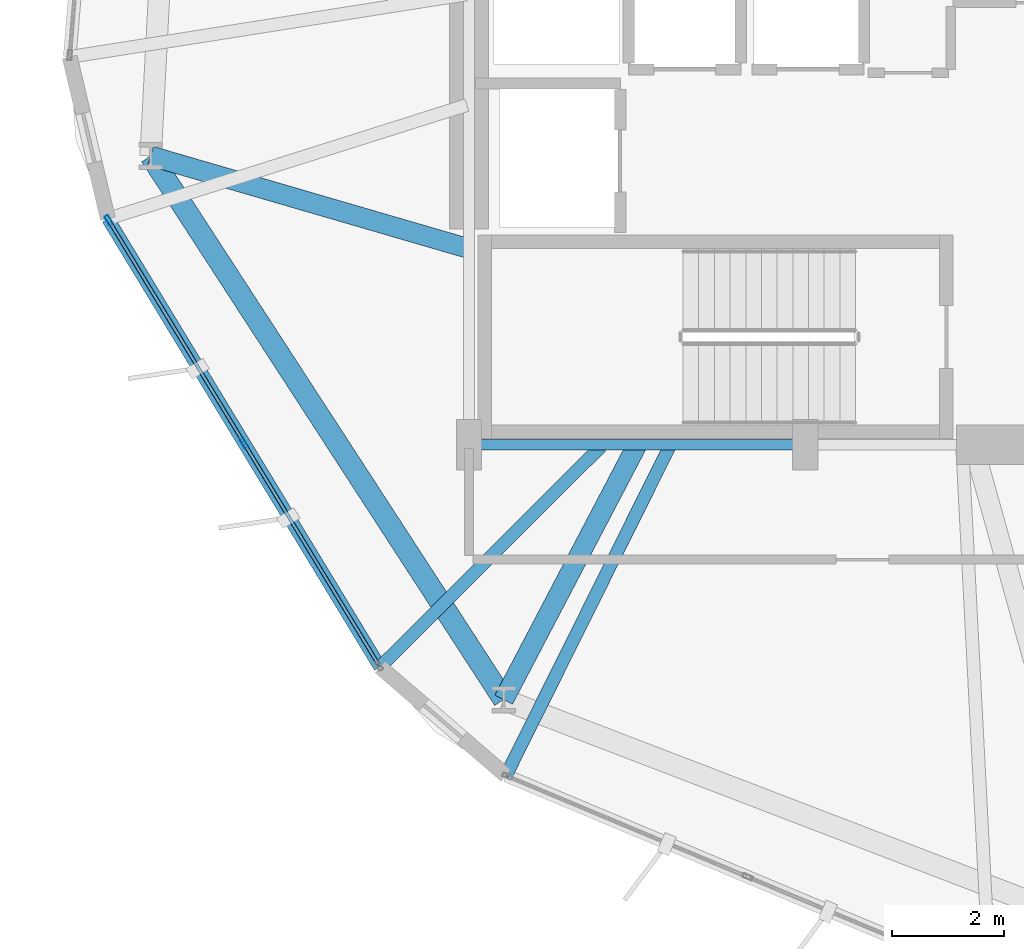
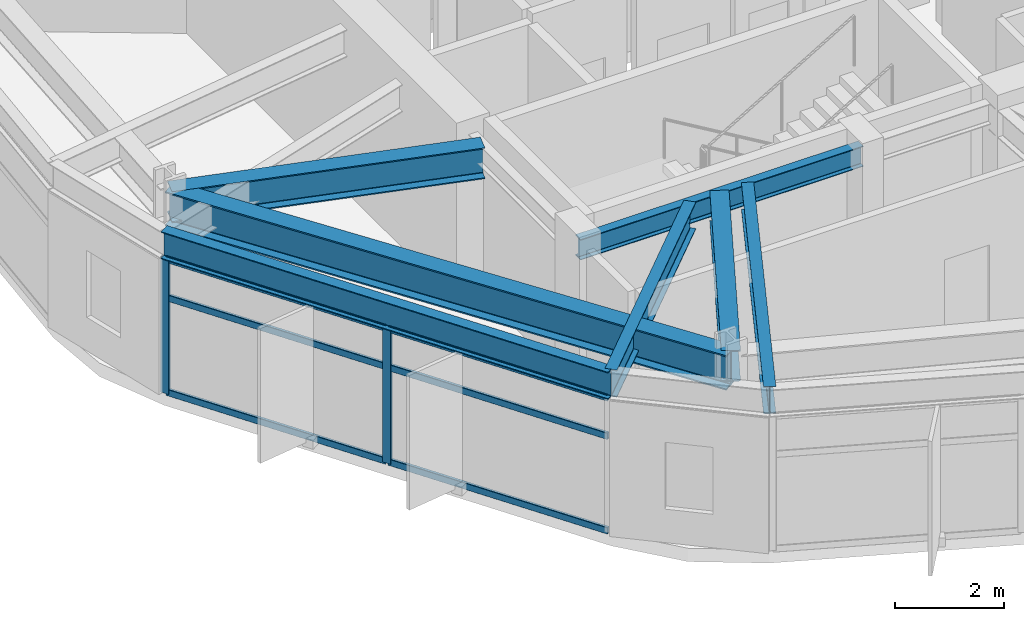
# One storey, part 3 of 21: 8 members, 7 beams, 1 element without a shape of its own.
"""IFC4 building model written with IfcOpenShell, lengths in metres."""

from ifc_helpers import new_model, si_unit, direction, frame, origin, origin_2d, place, context, subcontext, project, spatial, hollow_rectangle, i_section, extrude, material, layer, layer_set, material_profile, profile_set, type_object, element, aggregate, save


model = new_model("IFC4")

# Units and contexts
model_context = context("Model", 3, precision=1e-05, world=origin(), true_north=direction((0.0, 1.0)))
body_context = subcontext(model_context, "Body", "Model", "MODEL_VIEW")
ifc_project = project(units=[si_unit("LENGTHUNIT", "METRE"), si_unit("AREAUNIT", "SQUARE_METRE"), si_unit("VOLUMEUNIT", "CUBIC_METRE"), si_unit("PLANEANGLEUNIT", "RADIAN"), si_unit("MASSUNIT", "GRAM", prefix="KILO")], contexts=[model_context])

# Site, building, storey
site_placement = place(None, origin())
site = spatial("IfcSite", under=ifc_project, at=site_placement, CompositionType="ELEMENT")
building_placement = place(site_placement, origin())
building = spatial("IfcBuilding", under=site, at=building_placement, Name="Soratama Intermodal Tower", CompositionType="ELEMENT")
storey_placement = place(building_placement, frame((0.0, 0.0, 78.60009765625)))
storey = spatial("IfcBuildingStorey", under=building, at=storey_placement, Name="L18", CompositionType="ELEMENT", Elevation=78.60009765625)

# Beams
ifc_material_1 = material(Name="Structural steel ASTM A992 Grade 50", Category="steel")
ifc_material_profile_1 = material_profile(ifc_material_1, i_section(OverallWidth=0.19091796875, OverallDepth=0.4599609375, WebThickness=0.010009765625, FlangeThickness=0.01611328125, FilletRadius=0.010986328125, at=origin_2d()), Name="W18X55")
ifc_profile_set_1 = profile_set([ifc_material_profile_1], Name="Structural steel ASTM A992 Grade 50")
beam_type_1 = type_object("IfcBeamType", Name="BM-FLR-W18X55", PredefinedType="BEAM", material=ifc_profile_set_1)
beam_1_placement = place(storey_placement, frame((32.60009765625, 15.0, 3.429931640625), z_axis=(1.0, 0.0, 0.0), x_axis=(0.0, 1.0, 0.0)))
element("IfcBeam", 1, at=beam_1_placement, inside=storey, type_object=beam_type_1, Name="BM-L18-CRING-01", PredefinedType="BEAM", context=body_context, shape_type="SweptSolid", body=[
    extrude(i_section(OverallWidth=0.19091796875, OverallDepth=0.4599609375, WebThickness=0.010009765625, FlangeThickness=0.01611328125, FilletRadius=0.010986328125, at=origin_2d()), origin(), (0.0, 0.0, 1.0), 6.0),
])
ifc_material_2 = material(Name="Structural steel ASTM A992 Grade 50", Category="steel")
ifc_material_profile_2 = material_profile(ifc_material_2, i_section(OverallWidth=0.35498046875, OverallDepth=0.695068359375, WebThickness=0.015380859375, FlangeThickness=0.02490234375, FilletRadius=0.01611328125, at=origin_2d()), Name="W27X146")
ifc_profile_set_2 = profile_set([ifc_material_profile_2], Name="Structural steel ASTM A992 Grade 50")
beam_type_2 = type_object("IfcBeamType", Name="BM-RING-W27X146", PredefinedType="BEAM", material=ifc_profile_set_2)
beam_2_placement = place(storey_placement, frame((32.60009765625, 18.5, 3.3125), z_axis=(-0.960102504931, 0.279648314898, 0.0), x_axis=(-0.279648314898, -0.960102504931, 0.0)))
element("IfcBeam", 2, at=beam_2_placement, inside=storey, type_object=beam_type_2, Name="BM-L18-RAD-06", PredefinedType="BEAM", context=body_context, shape_type="SweptSolid", body=[
    extrude(i_section(OverallWidth=0.35498046875, OverallDepth=0.695068359375, WebThickness=0.015380859375, FlangeThickness=0.02490234375, FilletRadius=0.01611328125, at=origin_2d()), origin(), (0.0, 0.0, 1.0), 5.918212890625),
])
beam_3_placement = place(storey_placement, frame((35.60009765625, 15.0, 3.3125), z_axis=(-0.463818619792, -0.885930182314, 0.0), x_axis=(0.885930182314, -0.463818619792, 0.0)))
element("IfcBeam", 3, at=beam_3_placement, inside=storey, type_object=beam_type_2, Name="BM-L18-RAD-07", PredefinedType="BEAM", context=body_context, shape_type="SweptSolid", body=[
    extrude(i_section(OverallWidth=0.35498046875, OverallDepth=0.695068359375, WebThickness=0.015380859375, FlangeThickness=0.02490234375, FilletRadius=0.01611328125, at=origin_2d()), origin(), (0.0, 0.0, 1.0), 5.1337890625),
])
ifc_material_3 = material(Name="Structural steel ASTM A992 Grade 50", Category="steel")
ifc_material_profile_3 = material_profile(ifc_material_3, i_section(OverallWidth=0.382080078125, OverallDepth=0.779052734375, WebThickness=0.01806640625, FlangeThickness=0.030029296875, FilletRadius=0.01806640625, at=origin_2d()), Name="W30X191")
ifc_profile_set_3 = profile_set([ifc_material_profile_3], Name="Structural steel ASTM A992 Grade 50")
beam_type_3 = type_object("IfcBeamType", Name="BM-RING-W30X191", PredefinedType="BEAM", material=ifc_profile_set_3)
beam_4_placement = place(storey_placement, frame((26.91796875, 20.155029296875, 3.2705078125), z_axis=(0.544623370352, -0.838680740489, 0.0), x_axis=(0.838680740489, 0.544623370352, 0.0)))
element("IfcBeam", 4, at=beam_4_placement, inside=storey, type_object=beam_type_3, Name="BM-L18-RING-06", PredefinedType="BEAM", context=body_context, shape_type="SweptSolid", body=[
    extrude(i_section(OverallWidth=0.382080078125, OverallDepth=0.779052734375, WebThickness=0.01806640625, FlangeThickness=0.030029296875, FilletRadius=0.01806640625, at=origin_2d()), origin(), (0.0, 0.0, 1.0), 11.569580078125),
])
ifc_material_4 = material(Name="Structural steel ASTM A992 Grade 50", Category="steel")
ifc_material_profile_4 = material_profile(ifc_material_4, i_section(OverallWidth=0.22900390625, OverallDepth=0.612060546875, WebThickness=0.011962890625, FlangeThickness=0.01953125, FilletRadius=0.012939453125, at=origin_2d()), Name="W24X84")
ifc_profile_set_4 = profile_set([ifc_material_profile_4], Name="Structural steel ASTM A992 Grade 50")
beam_type_4 = type_object("IfcBeamType", Name="BM-SPN-W24X84", PredefinedType="SPANDREL", material=ifc_profile_set_4)
beam_5_placement = place(storey_placement, frame((26.154052734375, 19.034912109375, 3.35400390625), z_axis=(0.518869233486, -0.854853624044, 0.0), x_axis=(0.854853624044, 0.518869233486, 0.0)))
element("IfcBeam", 5, at=beam_5_placement, inside=storey, type_object=beam_type_4, Name="BS-L18-F06", PredefinedType="SPANDREL", context=body_context, shape_type="SweptSolid", body=[
    extrude(i_section(OverallWidth=0.22900390625, OverallDepth=0.612060546875, WebThickness=0.011962890625, FlangeThickness=0.01953125, FilletRadius=0.012939453125, at=origin_2d()), origin(), (0.0, 0.0, 1.0), 9.360595703125),
])
ifc_material_5 = material(Name="Structural steel ASTM A992 Grade 50", Category="steel")
ifc_material_profile_5 = material_profile(ifc_material_5, i_section(OverallWidth=0.22900390625, OverallDepth=0.612060546875, WebThickness=0.011962890625, FlangeThickness=0.01953125, FilletRadius=0.012939453125, at=origin_2d()), Name="W24X84")
ifc_profile_set_5 = profile_set([ifc_material_profile_5], Name="Structural steel ASTM A992 Grade 50")
beam_type_5 = type_object("IfcBeamType", Name="BM-TIE-W24X84", PredefinedType="BEAM", material=ifc_profile_set_5)
beam_6_placement = place(storey_placement, frame((34.95703125, 14.971923828125, 3.35400390625), z_axis=(-0.707741418522, -0.706471573744, 0.0), x_axis=(0.706471573744, -0.707741418522, 0.0)))
element("IfcBeam", 6, at=beam_6_placement, inside=storey, type_object=beam_type_5, Name="BM-L18-TIE1-06", PredefinedType="BEAM", context=body_context, shape_type="SweptSolid", body=[
    extrude(i_section(OverallWidth=0.22900390625, OverallDepth=0.612060546875, WebThickness=0.011962890625, FlangeThickness=0.01953125, FilletRadius=0.012939453125, at=origin_2d()), origin(), (0.0, 0.0, 1.0), 5.575439453125),
])
beam_7_placement = place(storey_placement, frame((36.177001953125, 14.964111328125, 3.35400390625), z_axis=(-0.445245565829, -0.895408502366, 0.0), x_axis=(0.895408502366, -0.445245565829, 0.0)))
element("IfcBeam", 7, at=beam_7_placement, inside=storey, type_object=beam_type_5, Name="BM-L18-TIE0-07", PredefinedType="BEAM", context=body_context, shape_type="SweptSolid", body=[
    extrude(i_section(OverallWidth=0.22900390625, OverallDepth=0.612060546875, WebThickness=0.011962890625, FlangeThickness=0.01953125, FilletRadius=0.012939453125, at=origin_2d()), origin(), (0.0, 0.0, 1.0), 6.5537109375),
])

# Curtain wall, members
ifc_material_6 = material(Name="Double-glazed aluminium curtain wall", Category="aluminium")
ifc_layer = layer(ifc_material_6, 0.159912109375)
ifc_layer_set = layer_set([ifc_layer], Name="Double-glazed aluminium curtain wall")
curtain_wall_type = type_object("IfcCurtainWallType", Name="CW-SYS-2", PredefinedType="NOTDEFINED", material=ifc_layer_set)
curtain_wall_placement = place(storey_placement, origin())
curtain_wall = element("IfcCurtainWall", 8, at=curtain_wall_placement, inside=storey, type_object=curtain_wall_type, Name="L18 Faceted Curtain Wall F06", PredefinedType="NOTDEFINED")
ifc_material_7 = material(Name="Anodised aluminium AA 6063-T6", Category="aluminium")
ifc_material_profile_6 = material_profile(ifc_material_7, hollow_rectangle(XDim=0.074951171875, YDim=0.179931640625, WallThickness=0.006103515625, InnerFilletRadius=0.006103515625, OuterFilletRadius=0.011962890625, at=origin_2d()), Name="CWM180X75X6")
ifc_profile_set_6 = profile_set([ifc_material_profile_6], Name="Anodised aluminium AA 6063-T6")
member_type_1 = type_object("IfcMemberType", Name="MT-CWM-2", PredefinedType="MULLION", material=ifc_profile_set_6)
member_1_placement = place(storey_placement, frame((26.169189453125, 19.00927734375, 0.0), z_axis=(0.0, 0.0, 1.0), x_axis=(0.854820684585, 0.518923498414, 0.0)))
member_1 = element("IfcMember", 9, at=member_1_placement, type_object=member_type_1, Name="CW-2 mullion 1", PredefinedType="MULLION", context=body_context, shape_type="SweptSolid", body=[
    extrude(hollow_rectangle(XDim=0.074951171875, YDim=0.179931640625, WallThickness=0.006103515625, InnerFilletRadius=0.006103515625, OuterFilletRadius=0.011962890625, at=origin_2d()), origin(), (0.0, 0.0, 1.0), 3.038818359375),
])
member_2_placement = place(storey_placement, frame((28.58251953125, 15.03369140625, 0.0), z_axis=(0.0, 0.0, 1.0), x_axis=(0.854820684585, 0.518923498414, 0.0)))
member_2 = element("IfcMember", 10, at=member_2_placement, type_object=member_type_1, Name="CW-2 mullion 2", PredefinedType="MULLION", context=body_context, shape_type="SweptSolid", body=[
    extrude(hollow_rectangle(XDim=0.074951171875, YDim=0.179931640625, WallThickness=0.006103515625, InnerFilletRadius=0.006103515625, OuterFilletRadius=0.011962890625, at=origin_2d()), origin(), (0.0, 0.0, 1.0), 3.038818359375),
])
ifc_material_8 = material(Name="Anodised aluminium AA 6063-T6", Category="aluminium")
ifc_material_profile_7 = material_profile(ifc_material_8, hollow_rectangle(XDim=0.06494140625, YDim=0.14990234375, WallThickness=0.0048828125, InnerFilletRadius=0.0048828125, OuterFilletRadius=0.010009765625, at=origin_2d()), Name="CWT150X65X5")
ifc_profile_set_7 = profile_set([ifc_material_profile_7], Name="Anodised aluminium AA 6063-T6")
member_type_2 = type_object("IfcMemberType", Name="TT-CWT-1", PredefinedType="USERDEFINED", material=ifc_profile_set_7)
member_3_placement = place(storey_placement, frame((26.1845703125, 18.983642578125, 0.02978515625), z_axis=(0.518930950404, -0.85481616077, 0.0), x_axis=(0.85481616077, 0.518930950404, 0.0)))
member_3 = element("IfcMember", 11, at=member_3_placement, type_object=member_type_2, Name="CW-2 transom 1.1", ObjectType="TRANSOM", PredefinedType="USERDEFINED", context=body_context, shape_type="SweptSolid", body=[
    extrude(hollow_rectangle(XDim=0.06494140625, YDim=0.14990234375, WallThickness=0.0048828125, InnerFilletRadius=0.0048828125, OuterFilletRadius=0.010009765625, at=origin_2d()), origin(), (0.0, 0.0, 1.0), 4.5908203125),
])
member_4_placement = place(storey_placement, frame((26.1845703125, 18.983642578125, 2.14990234375), z_axis=(0.518930950404, -0.85481616077, 0.0), x_axis=(0.85481616077, 0.518930950404, 0.0)))
member_4 = element("IfcMember", 12, at=member_4_placement, type_object=member_type_2, Name="CW-2 transom 1.2", ObjectType="TRANSOM", PredefinedType="USERDEFINED", context=body_context, shape_type="SweptSolid", body=[
    extrude(hollow_rectangle(XDim=0.06494140625, YDim=0.14990234375, WallThickness=0.0048828125, InnerFilletRadius=0.0048828125, OuterFilletRadius=0.010009765625, at=origin_2d()), origin(), (0.0, 0.0, 1.0), 4.5908203125),
])
member_5_placement = place(storey_placement, frame((26.1845703125, 18.983642578125, 3.0087890625), z_axis=(0.518930950404, -0.85481616077, 0.0), x_axis=(0.85481616077, 0.518930950404, 0.0)))
member_5 = element("IfcMember", 13, at=member_5_placement, type_object=member_type_2, Name="CW-2 transom 1.3", ObjectType="TRANSOM", PredefinedType="USERDEFINED", context=body_context, shape_type="SweptSolid", body=[
    extrude(hollow_rectangle(XDim=0.06494140625, YDim=0.14990234375, WallThickness=0.0048828125, InnerFilletRadius=0.0048828125, OuterFilletRadius=0.010009765625, at=origin_2d()), origin(), (0.0, 0.0, 1.0), 4.5908203125),
])
member_6_placement = place(storey_placement, frame((28.597900390625, 15.008056640625, 0.02978515625), z_axis=(0.518930950404, -0.85481616077, 0.0), x_axis=(0.85481616077, 0.518930950404, 0.0)))
member_6 = element("IfcMember", 14, at=member_6_placement, type_object=member_type_2, Name="CW-2 transom 2.1", ObjectType="TRANSOM", PredefinedType="USERDEFINED", context=body_context, shape_type="SweptSolid", body=[
    extrude(hollow_rectangle(XDim=0.06494140625, YDim=0.14990234375, WallThickness=0.0048828125, InnerFilletRadius=0.0048828125, OuterFilletRadius=0.010009765625, at=origin_2d()), origin(), (0.0, 0.0, 1.0), 4.5908203125),
])
member_7_placement = place(storey_placement, frame((28.597900390625, 15.008056640625, 2.14990234375), z_axis=(0.518930950404, -0.85481616077, 0.0), x_axis=(0.85481616077, 0.518930950404, 0.0)))
member_7 = element("IfcMember", 15, at=member_7_placement, type_object=member_type_2, Name="CW-2 transom 2.2", ObjectType="TRANSOM", PredefinedType="USERDEFINED", context=body_context, shape_type="SweptSolid", body=[
    extrude(hollow_rectangle(XDim=0.06494140625, YDim=0.14990234375, WallThickness=0.0048828125, InnerFilletRadius=0.0048828125, OuterFilletRadius=0.010009765625, at=origin_2d()), origin(), (0.0, 0.0, 1.0), 4.5908203125),
])
member_8_placement = place(storey_placement, frame((28.597900390625, 15.008056640625, 3.0087890625), z_axis=(0.518930950404, -0.85481616077, 0.0), x_axis=(0.85481616077, 0.518930950404, 0.0)))
member_8 = element("IfcMember", 16, at=member_8_placement, type_object=member_type_2, Name="CW-2 transom 2.3", ObjectType="TRANSOM", PredefinedType="USERDEFINED", context=body_context, shape_type="SweptSolid", body=[
    extrude(hollow_rectangle(XDim=0.06494140625, YDim=0.14990234375, WallThickness=0.0048828125, InnerFilletRadius=0.0048828125, OuterFilletRadius=0.010009765625, at=origin_2d()), origin(), (0.0, 0.0, 1.0), 4.5908203125),
])
aggregate(curtain_wall, [member_1, member_2, member_3, member_4, member_5, member_6, member_7, member_8])

save(model, "model.ifc")
